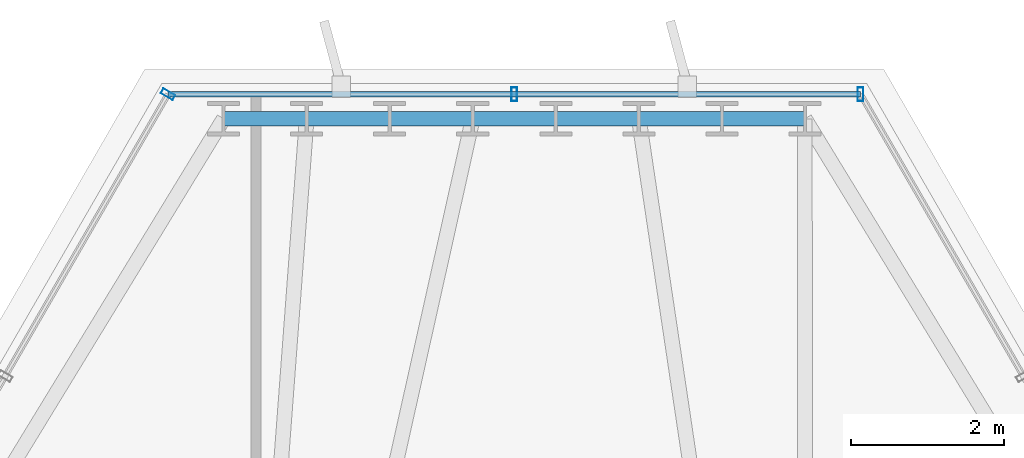
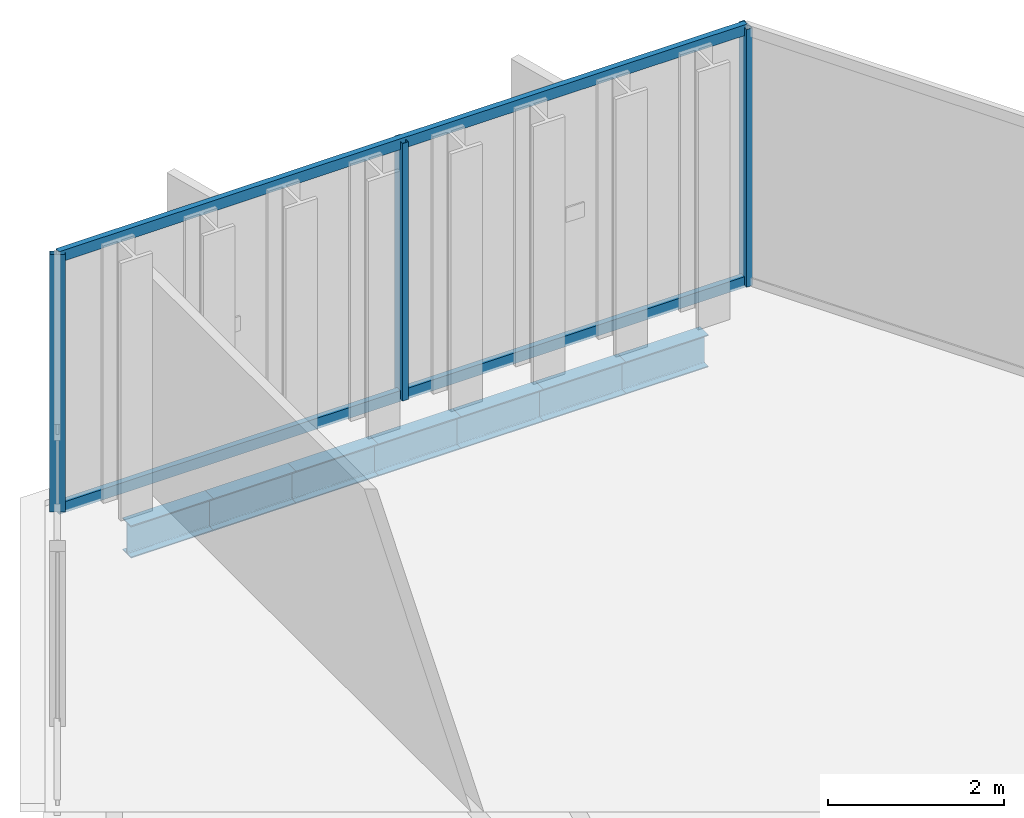
# One storey, part 23 of 34: 7 beams, 5 members, 2 elements without a shape of their own.
"""IFC4 building model written with IfcOpenShell, lengths in metres."""

from ifc_helpers import new_model, si_unit, direction, frame, origin, origin_2d, place, context, subcontext, project, spatial, hollow_rectangle, i_section, extrude, material, layer, layer_set, material_profile, profile_set, type_object, element, aggregate, save


model = new_model("IFC4")

# Units and contexts
model_context = context("Model", 3, precision=1e-05, world=origin(), true_north=direction((0.0, 1.0)))
body_context = subcontext(model_context, "Body", "Model", "MODEL_VIEW")
ifc_project = project(units=[si_unit("LENGTHUNIT", "METRE"), si_unit("AREAUNIT", "SQUARE_METRE"), si_unit("VOLUMEUNIT", "CUBIC_METRE"), si_unit("PLANEANGLEUNIT", "RADIAN"), si_unit("MASSUNIT", "GRAM", prefix="KILO")], contexts=[model_context])

# Site, building, storey
site_placement = place(None, origin())
site = spatial("IfcSite", under=ifc_project, at=site_placement, CompositionType="ELEMENT")
building_placement = place(site_placement, origin())
building = spatial("IfcBuilding", under=site, at=building_placement, Name="Ndaravel Arena Tower", CompositionType="ELEMENT")
storey_placement = place(building_placement, frame((0.0, 0.0, 191.60009765625)))
storey = spatial("IfcBuildingStorey", under=building, at=storey_placement, Name="L46", CompositionType="ELEMENT", Elevation=191.60009765625)

# Beams
ifc_material_1 = material(Name="Steel S355", Category="steel")
ifc_material_profile_1 = material_profile(ifc_material_1, i_section(OverallWidth=0.18994140625, OverallDepth=0.449951171875, WebThickness=0.009521484375, FlangeThickness=0.0146484375, FilletRadius=0.02099609375, at=origin_2d()), Name="IPE 450")
ifc_profile_set_1 = profile_set([ifc_material_profile_1], Name="Steel S355")
beam_type = type_object("IfcBeamType", Name="BM-SPAN-IPE450", PredefinedType="SPANDREL", material=ifc_profile_set_1)
for number, where, z_axis, x_axis, name in (
    (1, (45.7958984375, 45.805908203125, -0.445068359375), (-1.0, 0.0, 0.0), (0.0, -1.0, 0.0), "L46 Perimeter Spandrel Beam SP-11"),
    (2, (44.71142578125, 45.805908203125, -0.445068359375), (-1.0, 0.0, 0.0), (0.0, -1.0, 0.0), "L46 Perimeter Spandrel Beam SP-12"),
):
    element("IfcBeam", number, at=place(storey_placement, frame(where, z_axis=z_axis, x_axis=x_axis)), inside=storey, type_object=beam_type, Name=name, PredefinedType="SPANDREL", context=body_context, shape_type="SweptSolid", body=[
        extrude(i_section(OverallWidth=0.18994140625, OverallDepth=0.449951171875, WebThickness=0.009521484375, FlangeThickness=0.0146484375, FilletRadius=0.02099609375, at=origin_2d()), origin(), (0.0, 0.0, 1.0), 1.08447265625),
    ])
beam_1_placement = place(storey_placement, frame((43.626953125, 45.805908203125, -0.445068359375), z_axis=(-1.0, 0.0, 0.0), x_axis=(0.0, -1.0, 0.0)))
element("IfcBeam", 3, at=beam_1_placement, inside=storey, type_object=beam_type, Name="L46 Perimeter Spandrel Beam SP-13", PredefinedType="SPANDREL", context=body_context, shape_type="SweptSolid", body=[
    extrude(i_section(OverallWidth=0.18994140625, OverallDepth=0.449951171875, WebThickness=0.009521484375, FlangeThickness=0.0146484375, FilletRadius=0.02099609375, at=origin_2d()), origin(), (0.0, 0.0, 1.0), 1.084716796875),
])
beam_2_placement = place(storey_placement, frame((42.542236328125, 45.805908203125, -0.445068359375), z_axis=(-1.0, 0.0, 0.0), x_axis=(0.0, -1.0, 0.0)))
element("IfcBeam", 4, at=beam_2_placement, inside=storey, type_object=beam_type, Name="L46 Perimeter Spandrel Beam SP-14", PredefinedType="SPANDREL", context=body_context, shape_type="SweptSolid", body=[
    extrude(i_section(OverallWidth=0.18994140625, OverallDepth=0.449951171875, WebThickness=0.009521484375, FlangeThickness=0.0146484375, FilletRadius=0.02099609375, at=origin_2d()), origin(), (0.0, 0.0, 1.0), 1.08447265625),
])
beam_3_placement = place(storey_placement, frame((41.457763671875, 45.805908203125, -0.445068359375), z_axis=(-1.0, 0.0, 0.0), x_axis=(0.0, -1.0, 0.0)))
element("IfcBeam", 5, at=beam_3_placement, inside=storey, type_object=beam_type, Name="L46 Perimeter Spandrel Beam SP-15", PredefinedType="SPANDREL", context=body_context, shape_type="SweptSolid", body=[
    extrude(i_section(OverallWidth=0.18994140625, OverallDepth=0.449951171875, WebThickness=0.009521484375, FlangeThickness=0.0146484375, FilletRadius=0.02099609375, at=origin_2d()), origin(), (0.0, 0.0, 1.0), 1.084716796875),
])
for number, where, z_axis, x_axis, name in (
    (6, (40.373046875, 45.805908203125, -0.445068359375), (-1.0, 0.0, 0.0), (0.0, -1.0, 0.0), "L46 Perimeter Spandrel Beam SP-16"),
    (7, (39.28857421875, 45.805908203125, -0.445068359375), (-1.0, 0.0, 0.0), (0.0, -1.0, 0.0), "L46 Perimeter Spandrel Beam SP-17"),
):
    element("IfcBeam", number, at=place(storey_placement, frame(where, z_axis=z_axis, x_axis=x_axis)), inside=storey, type_object=beam_type, Name=name, PredefinedType="SPANDREL", context=body_context, shape_type="SweptSolid", body=[
        extrude(i_section(OverallWidth=0.18994140625, OverallDepth=0.449951171875, WebThickness=0.009521484375, FlangeThickness=0.0146484375, FilletRadius=0.02099609375, at=origin_2d()), origin(), (0.0, 0.0, 1.0), 1.08447265625),
    ])

# Curtain wall, members
ifc_material_2 = material(Name="Aluminium", Category="aluminium")
ifc_layer_1 = layer(ifc_material_2, 0.179931640625)
ifc_layer_set_1 = layer_set([ifc_layer_1], Name="Aluminium")
curtain_wall_type_1 = type_object("IfcCurtainWallType", Name="CW-SYS-01", PredefinedType="NOTDEFINED", material=ifc_layer_set_1)
curtain_wall_1_placement = place(storey_placement, origin())
curtain_wall_1 = element("IfcCurtainWall", 8, at=curtain_wall_1_placement, inside=storey, type_object=curtain_wall_type_1, Name="L46 Faceted Crystal Curtain Wall CW-L46-E04", PredefinedType="NOTDEFINED")
ifc_material_3 = material(Name="Aluminium", Category="aluminium")
ifc_material_profile_2 = material_profile(ifc_material_3, hollow_rectangle(XDim=0.074951171875, YDim=0.179931640625, WallThickness=0.00390625, at=origin_2d()), Name="CW MULLION 75x180x4")
ifc_profile_set_2 = profile_set([ifc_material_profile_2], Name="Aluminium")
member_type_1 = type_object("IfcMemberType", Name="MEM-CW-MUL180", PredefinedType="MULLION", material=ifc_profile_set_2)
member_1_placement = place(storey_placement, frame((46.52294921875, 46.1259765625, 0.0), z_axis=(0.0, 0.0, 1.0), x_axis=(-1.0, 0.0, 0.0)))
member_1 = element("IfcMember", 9, at=member_1_placement, type_object=member_type_1, Name="CW-L46-E04 Mullion 00", PredefinedType="MULLION", context=body_context, shape_type="SweptSolid", body=[
    extrude(hollow_rectangle(XDim=0.074951171875, YDim=0.179931640625, WallThickness=0.00390625, at=origin_2d()), origin(), (0.0, 0.0, 1.0), 3.579833984375),
])
member_2_placement = place(storey_placement, frame((42.0, 46.1259765625, 0.0), z_axis=(0.0, 0.0, 1.0), x_axis=(-1.0, 0.0, 0.0)))
member_2 = element("IfcMember", 10, at=member_2_placement, type_object=member_type_1, Name="CW-L46-E04 Mullion 01", PredefinedType="MULLION", context=body_context, shape_type="SweptSolid", body=[
    extrude(hollow_rectangle(XDim=0.074951171875, YDim=0.179931640625, WallThickness=0.00390625, at=origin_2d()), origin(), (0.0, 0.0, 1.0), 3.579833984375),
])

# Curtain wall, member
ifc_material_4 = material(Name="Aluminium", Category="aluminium")
ifc_layer_2 = layer(ifc_material_4, 0.179931640625)
ifc_layer_set_2 = layer_set([ifc_layer_2], Name="Aluminium")
curtain_wall_type_2 = type_object("IfcCurtainWallType", Name="CW-SYS-03", PredefinedType="NOTDEFINED", material=ifc_layer_set_2)
curtain_wall_2_placement = place(storey_placement, origin())
curtain_wall_2 = element("IfcCurtainWall", 11, at=curtain_wall_2_placement, inside=storey, type_object=curtain_wall_type_2, Name="L46 Faceted Crystal Curtain Wall CW-L46-E05", PredefinedType="NOTDEFINED")
member_3_placement = place(storey_placement, frame((37.47705078125, 46.1259765625, 0.0), z_axis=(0.0, 0.0, 1.0), x_axis=(-0.5, -0.866025403784, 0.0)))
member_3 = element("IfcMember", 12, at=member_3_placement, type_object=member_type_1, Name="CW-L46-E05 Mullion 00", PredefinedType="MULLION", context=body_context, shape_type="SweptSolid", body=[
    extrude(hollow_rectangle(XDim=0.074951171875, YDim=0.179931640625, WallThickness=0.00390625, at=origin_2d()), origin(), (0.0, 0.0, 1.0), 3.579833984375),
])
aggregate(curtain_wall_2, [member_3])

# Member
ifc_material_5 = material(Name="Aluminium", Category="aluminium")
ifc_material_profile_3 = material_profile(ifc_material_5, hollow_rectangle(XDim=0.074951171875, YDim=0.14990234375, WallThickness=0.00390625, at=origin_2d()), Name="CW TRANSOM 75x150x4")
ifc_profile_set_3 = profile_set([ifc_material_profile_3], Name="Aluminium")
member_type_2 = type_object("IfcMemberType", Name="MEM-CW-TRN150", PredefinedType="USERDEFINED", material=ifc_profile_set_3)
member_4_placement = place(storey_placement, frame((46.52294921875, 46.1259765625, 0.039794921875), z_axis=(-1.0, 0.0, 0.0), x_axis=(0.0, -1.0, 0.0)))
member_4 = element("IfcMember", 13, at=member_4_placement, type_object=member_type_2, Name="CW-L46-E04 Transom 01", ObjectType="TRANSOM", PredefinedType="USERDEFINED", context=body_context, shape_type="SweptSolid", body=[
    extrude(hollow_rectangle(XDim=0.074951171875, YDim=0.14990234375, WallThickness=0.00390625, at=origin_2d()), origin(), (0.0, 0.0, 1.0), 9.0458984375),
])

member_5_placement = place(storey_placement, frame((46.52294921875, 46.1259765625, 3.539794921875), z_axis=(-1.0, 0.0, 0.0), x_axis=(0.0, -1.0, 0.0)))
member_5 = element("IfcMember", 14, at=member_5_placement, type_object=member_type_2, Name="CW-L46-E04 Transom 02", ObjectType="TRANSOM", PredefinedType="USERDEFINED", context=body_context, shape_type="SweptSolid", body=[
    extrude(hollow_rectangle(XDim=0.074951171875, YDim=0.14990234375, WallThickness=0.00390625, at=origin_2d()), origin(), (0.0, 0.0, 1.0), 9.0458984375),
])

aggregate(curtain_wall_1, [member_1, member_2, member_4, member_5])

save(model, "model.ifc")
